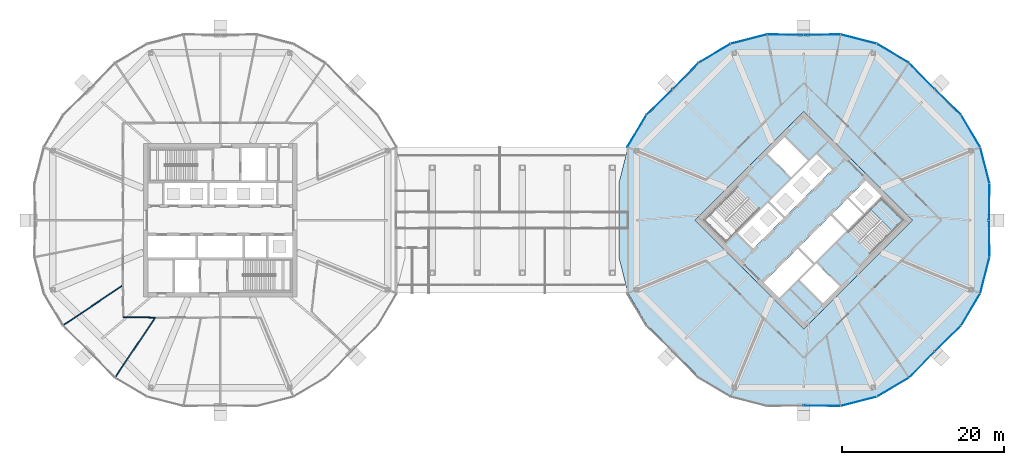
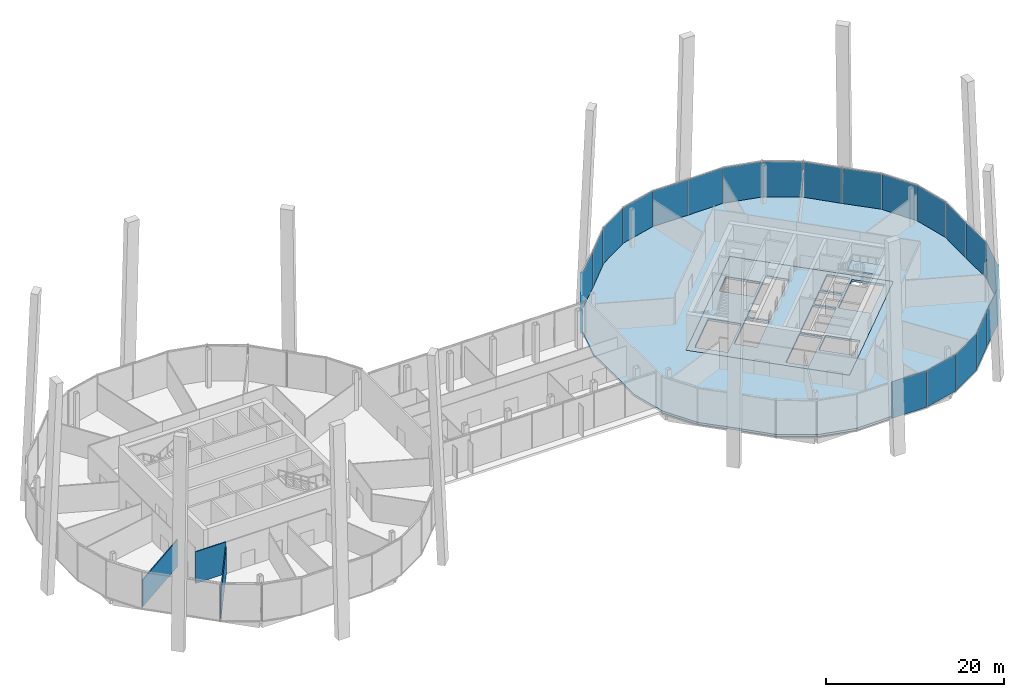
# One storey, part 18 of 28: 22 plates, 3 slabs, 3 walls, 7 elements without a shape of their own.
"""IFC4 building model written with IfcOpenShell, lengths in metres."""

from ifc_helpers import new_model, si_unit, direction, frame, frame_2d, origin, origin_2d, place, context, subcontext, project, spatial, polyline, rectangle, outline, extrude, material, layer, layer_set, type_object, element, aggregate, save


model = new_model("IFC4")

# Units and contexts
model_context = context("Model", 3, precision=1e-05, world=origin(), true_north=direction((0.0, 1.0)))
body_context = subcontext(model_context, "Body", "Model", "MODEL_VIEW")
ifc_project = project(units=[si_unit("LENGTHUNIT", "METRE"), si_unit("AREAUNIT", "SQUARE_METRE"), si_unit("VOLUMEUNIT", "CUBIC_METRE"), si_unit("PLANEANGLEUNIT", "RADIAN"), si_unit("MASSUNIT", "GRAM", prefix="KILO")], contexts=[model_context])

# Site, building, storey
site_placement = place(None, origin())
site = spatial("IfcSite", under=ifc_project, at=site_placement, CompositionType="ELEMENT")
building_placement = place(site_placement, origin())
building = spatial("IfcBuilding", under=site, at=building_placement, Name="Ogive Gate Towers", CompositionType="ELEMENT")
storey_placement = place(building_placement, frame((0.0, 0.0, 135.60009765625)))
storey = spatial("IfcBuildingStorey", under=building, at=storey_placement, Name="L32", CompositionType="ELEMENT", Elevation=135.60009765625)

# Slabs
ifc_material_1 = material(Name="Concrete C40/50", Category="concrete")
ifc_layer_1 = layer(ifc_material_1, 0.300048828125)
ifc_layer_set_1 = layer_set([ifc_layer_1], Name="Core slab C40/50 300 mm")
slab_type_1 = type_object("IfcSlabType", Name="Core slab C40/50 300 mm", PredefinedType="FLOOR", material=ifc_layer_set_1)
slab_1_placement = place(storey_placement, frame((0.0, 0.0, -0.300048828125)))
element("IfcSlab", 1, at=slab_1_placement, inside=storey, type_object=slab_type_1, Name="T2 L32 core slab", PredefinedType="FLOOR", context=body_context, shape_type="SweptSolid", body=[
    extrude(outline(polyline([(36.0, 13.43505859375), (49.43505859375, 0.0), (36.0, -13.43505859375), (22.56494140625, 0.0), (36.0, 13.43505859375)]), holes=[polyline([(31.615966796875, 2.15673828125), (27.868408203125, -1.591064453125), (29.759765625, -3.482421875), (33.50732421875, 0.26513671875), (31.615966796875, 2.15673828125)]), polyline([(39.482421875, 6.240234375), (37.591064453125, 8.131591796875), (31.792724609375, 2.33349609375), (33.68408203125, 0.44189453125), (39.482421875, 6.240234375)]), polyline([(32.97705078125, -9.563720703125), (37.13134765625, -5.409423828125), (35.239990234375, -3.517822265625), (31.085693359375, -7.672119140625), (32.97705078125, -9.563720703125)]), polyline([(35.41650390625, -3.341064453125), (37.30810546875, -5.232666015625), (41.232666015625, -1.30810546875), (39.341064453125, 0.58349609375), (35.41650390625, -3.341064453125)]), polyline([(41.3916015625, 2.634033203125), (39.517822265625, 0.760009765625), (41.409423828125, -1.13134765625), (43.283203125, 0.742431640625), (41.3916015625, 2.634033203125)]), polyline([(45.563720703125, 3.02294921875), (43.672119140625, 4.914306640625), (41.568603515625, 2.810791015625), (43.4599609375, 0.919189453125), (45.563720703125, 3.02294921875)]), polyline([(34.408935546875, 5.30322265625), (36.4951171875, 7.389404296875), (33.64892578125, 10.2353515625), (31.56298828125, 8.1494140625), (34.408935546875, 5.30322265625)]), polyline([(35.5048828125, -7.389404296875), (38.35107421875, -10.2353515625), (40.43701171875, -8.1494140625), (37.591064453125, -5.30322265625), (35.5048828125, -7.389404296875)]), polyline([(26.40087890625, -2.70458984375), (30.512939453125, 1.406982421875), (27.80810546875, 4.11181640625), (23.6962890625, 0.0), (26.40087890625, -2.70458984375)]), polyline([(48.3037109375, 0.0), (45.59912109375, 2.70458984375), (41.487060546875, -1.406982421875), (44.19189453125, -4.11181640625), (48.3037109375, 0.0)])]), origin(), (0.0, 0.0, 1.0), 0.300048828125),
])
ifc_material_2 = material(Name="Concrete C35/45", Category="concrete")
ifc_layer_2 = layer(ifc_material_2, 0.300048828125)
ifc_layer_set_2 = layer_set([ifc_layer_2], Name="Floor slab 300")
slab_type_2 = type_object("IfcSlabType", Name="Floor slab 300", PredefinedType="FLOOR", material=ifc_layer_set_2)
slab_2_placement = place(storey_placement, frame((0.0, 0.0, -0.300048828125)))
element("IfcSlab", 2, at=slab_2_placement, inside=storey, type_object=slab_type_2, Name="T2/L32/SSL001", PredefinedType="FLOOR", context=body_context, shape_type="SweptSolid", body=[
    extrude(outline(polyline([(58.82275390625, -4.539794921875), (58.77001953125, 0.0), (58.82275390625, 4.539794921875), (57.683349609375, 8.981689453125), (55.348388671875, 12.92822265625), (52.100830078125, 16.100830078125), (48.92822265625, 19.348388671875), (44.981689453125, 21.683349609375), (40.539794921875, 22.82275390625), (36.0, 22.77001953125), (31.460205078125, 22.82275390625), (27.018310546875, 21.683349609375), (23.07177734375, 19.348388671875), (19.899169921875, 16.100830078125), (16.651611328125, 12.92822265625), (14.316650390625, 8.981689453125), (13.17724609375, 4.539794921875), (13.22998046875, 0.0), (13.17724609375, -4.539794921875), (14.316650390625, -8.981689453125), (16.651611328125, -12.92822265625), (19.899169921875, -16.100830078125), (23.07177734375, -19.348388671875), (27.018310546875, -21.683349609375), (31.460205078125, -22.82275390625), (36.0, -22.77001953125), (40.539794921875, -22.82275390625), (44.981689453125, -21.683349609375), (48.92822265625, -19.348388671875), (52.100830078125, -16.100830078125), (55.348388671875, -12.92822265625), (57.683349609375, -8.981689453125), (58.82275390625, -4.539794921875)]), holes=[polyline([(49.43505859375, 0.0), (36.0, -13.43505859375), (22.56494140625, 0.0), (36.0, 13.43505859375), (49.43505859375, 0.0)])]), origin(), (0.0, 0.0, 1.0), 0.300048828125),
])

# Stair, slab
stair_type = type_object("IfcStairType", Name="Escape stair 1840 wide", PredefinedType="HALF_TURN_STAIR", material=ifc_material_1)
stair_placement = place(storey_placement, origin())
stair = element("IfcStair", 3, at=stair_placement, inside=storey, type_object=stair_type, Name="L32 Escape stair 2", PredefinedType="HALF_TURN_STAIR")
ifc_layer_3 = layer(ifc_material_1, 0.199951171875)
ifc_layer_set_3 = layer_set([ifc_layer_3], Name="Stair landing 200 mm")
slab_type_3 = type_object("IfcSlabType", Name="Stair landing 200 mm", PredefinedType="LANDING", material=ifc_layer_set_3)
slab_3_placement = place(storey_placement, frame((0.0, 0.0, 2.39990234375)))
slab_3 = element("IfcSlab", 4, at=slab_3_placement, type_object=slab_type_3, Name="ST2 landing 1", PredefinedType="LANDING", context=body_context, shape_type="SweptSolid", body=[
    extrude(outline(polyline([(46.949462890625, -1.35400390625), (48.3037109375, 0.0), (45.598876953125, 2.70458984375), (44.244873046875, 1.3505859375), (46.949462890625, -1.35400390625)])), origin(), (0.0, 0.0, 1.0), 0.199951171875),
])
aggregate(stair, [slab_3])

# Curtain wall, plates
ifc_material_3 = material(Name="Pale metal aluminium", Category="aluminium")
curtain_wall_type = type_object("IfcCurtainWallType", Name="Tower unitised wall, high zone", PredefinedType="NOTDEFINED", material=ifc_material_3)
curtain_wall_1_placement = place(storey_placement, origin())
curtain_wall_1 = element("IfcCurtainWall", 5, at=curtain_wall_1_placement, inside=storey, type_object=curtain_wall_type, Name="CW2 T2 ECW01", PredefinedType="NOTDEFINED")
ifc_material_4 = material(Name="Clear glass", Category="glass")
ifc_layer_4 = layer(ifc_material_4, 0.028076171875)
ifc_layer_set_4 = layer_set([ifc_layer_4], Name="Tower unitised wall, high zone glass panel")
plate_type = type_object("IfcPlateType", Name="Tower unitised wall, high zone glass panel", PredefinedType="CURTAIN_PANEL", material=ifc_layer_set_4)
plate_1_placement = place(storey_placement, frame((58.896484375, 2.27392578125, -0.2041015625), z_axis=(0.0, 0.0, 1.0), x_axis=(0.011641083172, 0.999932240296, 0.0)))
plate_1 = element("IfcPlate", 6, at=plate_1_placement, type_object=plate_type, Name="CW2 glass panel", PredefinedType="CURTAIN_PANEL", context=body_context, shape_type="SweptSolid", body=[
    extrude(rectangle(XDim=4.494384765625, YDim=0.028076171875, at=origin_2d()), origin(), (0.0, 0.0, 1.0), 5.008056640625),
])
plate_2_placement = place(storey_placement, frame((58.349853515625, 6.785888671875, -0.2041015625), z_axis=(0.0, 0.0, 1.0), x_axis=(-0.248470116217, 0.968639562142, 0.0)))
plate_2 = element("IfcPlate", 7, at=plate_2_placement, type_object=plate_type, Name="CW2 glass panel", PredefinedType="CURTAIN_PANEL", context=body_context, shape_type="SweptSolid", body=[
    extrude(rectangle(XDim=4.55126953125, YDim=0.028076171875, at=origin_2d()), origin(), (0.0, 0.0, 1.0), 5.008056640625),
])
plate_3_placement = place(storey_placement, frame((56.602294921875, 11.00537109375, -0.2041015625), z_axis=(0.0, 0.0, 1.0), x_axis=(-0.509236698817, 0.860626507016, 0.0)))
plate_3 = element("IfcPlate", 8, at=plate_3_placement, type_object=plate_type, Name="CW2 glass panel", PredefinedType="CURTAIN_PANEL", context=body_context, shape_type="SweptSolid", body=[
    extrude(rectangle(XDim=4.55126953125, YDim=0.028076171875, at=origin_2d()), origin(), (0.0, 0.0, 1.0), 5.008056640625),
])
plate_4_placement = place(storey_placement, frame((53.798095703125, 14.582275390625, -0.2041015625), z_axis=(0.0, 0.0, 1.0), x_axis=(-0.715302553421, 0.698814894711, 0.0)))
plate_4 = element("IfcPlate", 9, at=plate_4_placement, type_object=plate_type, Name="CW2 glass panel", PredefinedType="CURTAIN_PANEL", context=body_context, shape_type="SweptSolid", body=[
    extrude(rectangle(XDim=4.494140625, YDim=0.028076171875, at=origin_2d()), origin(), (0.0, 0.0, 1.0), 5.008056640625),
])
aggregate(curtain_wall_1, [plate_1, plate_2, plate_3, plate_4])

curtain_wall_2_placement = place(storey_placement, origin())
curtain_wall_2 = element("IfcCurtainWall", 10, at=curtain_wall_2_placement, inside=storey, type_object=curtain_wall_type, Name="CW2 T2 ECW02", PredefinedType="NOTDEFINED")
plate_5_placement = place(storey_placement, frame((50.582275390625, 17.798095703125, -0.2041015625), z_axis=(0.0, 0.0, 1.0), x_axis=(-0.698814894711, 0.715302553421, 0.0)))
plate_5 = element("IfcPlate", 11, at=plate_5_placement, type_object=plate_type, Name="CW2 glass panel", PredefinedType="CURTAIN_PANEL", context=body_context, shape_type="SweptSolid", body=[
    extrude(rectangle(XDim=4.494140625, YDim=0.028076171875, at=origin_2d()), origin(), (0.0, 0.0, 1.0), 5.008056640625),
])
plate_6_placement = place(storey_placement, frame((47.00537109375, 20.602294921875, -0.2041015625), z_axis=(0.0, 0.0, 1.0), x_axis=(-0.860626507016, 0.509236698817, 0.0)))
plate_6 = element("IfcPlate", 12, at=plate_6_placement, type_object=plate_type, Name="CW2 glass panel", PredefinedType="CURTAIN_PANEL", context=body_context, shape_type="SweptSolid", body=[
    extrude(rectangle(XDim=4.55126953125, YDim=0.028076171875, at=origin_2d()), origin(), (0.0, 0.0, 1.0), 5.008056640625),
])
plate_7_placement = place(storey_placement, frame((42.785888671875, 22.349853515625, -0.2041015625), z_axis=(0.0, 0.0, 1.0), x_axis=(-0.968639562142, 0.248470116217, 0.0)))
plate_7 = element("IfcPlate", 13, at=plate_7_placement, type_object=plate_type, Name="CW2 glass panel", PredefinedType="CURTAIN_PANEL", context=body_context, shape_type="SweptSolid", body=[
    extrude(rectangle(XDim=4.55126953125, YDim=0.028076171875, at=origin_2d()), origin(), (0.0, 0.0, 1.0), 5.008056640625),
])
plate_8_placement = place(storey_placement, frame((38.27392578125, 22.896484375, -0.2041015625), z_axis=(0.0, 0.0, 1.0), x_axis=(-0.999932240296, -0.011641083172, 0.0)))
plate_8 = element("IfcPlate", 14, at=plate_8_placement, type_object=plate_type, Name="CW2 glass panel", PredefinedType="CURTAIN_PANEL", context=body_context, shape_type="SweptSolid", body=[
    extrude(rectangle(XDim=4.494384765625, YDim=0.028076171875, at=origin_2d()), origin(), (0.0, 0.0, 1.0), 5.008056640625),
])
aggregate(curtain_wall_2, [plate_5, plate_6, plate_7, plate_8])

curtain_wall_3_placement = place(storey_placement, origin())
curtain_wall_3 = element("IfcCurtainWall", 15, at=curtain_wall_3_placement, inside=storey, type_object=curtain_wall_type, Name="CW2 T2 ECW03", PredefinedType="NOTDEFINED")
plate_9_placement = place(storey_placement, frame((33.72607421875, 22.896484375, -0.2041015625), z_axis=(0.0, 0.0, 1.0), x_axis=(-0.999932240296, 0.011641083172, 0.0)))
plate_9 = element("IfcPlate", 16, at=plate_9_placement, type_object=plate_type, Name="CW2 glass panel", PredefinedType="CURTAIN_PANEL", context=body_context, shape_type="SweptSolid", body=[
    extrude(rectangle(XDim=4.494384765625, YDim=0.028076171875, at=origin_2d()), origin(), (0.0, 0.0, 1.0), 5.008056640625),
])
plate_10_placement = place(storey_placement, frame((29.214111328125, 22.349853515625, -0.2041015625), z_axis=(0.0, 0.0, 1.0), x_axis=(-0.968639562142, -0.248470116217, 0.0)))
plate_10 = element("IfcPlate", 17, at=plate_10_placement, type_object=plate_type, Name="CW2 glass panel", PredefinedType="CURTAIN_PANEL", context=body_context, shape_type="SweptSolid", body=[
    extrude(rectangle(XDim=4.55126953125, YDim=0.028076171875, at=origin_2d()), origin(), (0.0, 0.0, 1.0), 5.008056640625),
])
plate_11_placement = place(storey_placement, frame((24.99462890625, 20.602294921875, -0.2041015625), z_axis=(0.0, 0.0, 1.0), x_axis=(-0.860626507016, -0.509236698817, 0.0)))
plate_11 = element("IfcPlate", 18, at=plate_11_placement, type_object=plate_type, Name="CW2 glass panel", PredefinedType="CURTAIN_PANEL", context=body_context, shape_type="SweptSolid", body=[
    extrude(rectangle(XDim=4.55126953125, YDim=0.028076171875, at=origin_2d()), origin(), (0.0, 0.0, 1.0), 5.008056640625),
])
plate_12_placement = place(storey_placement, frame((21.417724609375, 17.798095703125, -0.2041015625), z_axis=(0.0, 0.0, 1.0), x_axis=(-0.698814894711, -0.715302553421, 0.0)))
plate_12 = element("IfcPlate", 19, at=plate_12_placement, type_object=plate_type, Name="CW2 glass panel", PredefinedType="CURTAIN_PANEL", context=body_context, shape_type="SweptSolid", body=[
    extrude(rectangle(XDim=4.494140625, YDim=0.028076171875, at=origin_2d()), origin(), (0.0, 0.0, 1.0), 5.008056640625),
])
aggregate(curtain_wall_3, [plate_9, plate_10, plate_11, plate_12])

curtain_wall_4_placement = place(storey_placement, origin())
curtain_wall_4 = element("IfcCurtainWall", 20, at=curtain_wall_4_placement, inside=storey, type_object=curtain_wall_type, Name="CW2 T2 ECW04", PredefinedType="NOTDEFINED")
plate_13_placement = place(storey_placement, frame((18.201904296875, 14.582275390625, -0.2041015625), z_axis=(0.0, 0.0, 1.0), x_axis=(-0.715302553421, -0.698814894711, 0.0)))
plate_13 = element("IfcPlate", 21, at=plate_13_placement, type_object=plate_type, Name="CW2 glass panel", PredefinedType="CURTAIN_PANEL", context=body_context, shape_type="SweptSolid", body=[
    extrude(rectangle(XDim=4.494140625, YDim=0.028076171875, at=origin_2d()), origin(), (0.0, 0.0, 1.0), 5.008056640625),
])
plate_14_placement = place(storey_placement, frame((15.396728515625, 11.003662109375, -0.2041015625), z_axis=(0.0, 0.0, 1.0), x_axis=(-0.509236698817, -0.860626507016, 0.0)))
plate_14 = element("IfcPlate", 22, at=plate_14_placement, type_object=plate_type, Name="CW2 glass panel", PredefinedType="CURTAIN_PANEL", context=body_context, shape_type="SweptSolid", body=[
    extrude(rectangle(XDim=4.555419921875, YDim=0.028076171875, at=origin_2d()), origin(), (0.0, 0.0, 1.0), 5.008056640625),
])
aggregate(curtain_wall_4, [plate_13, plate_14])

curtain_wall_5_placement = place(storey_placement, origin())
curtain_wall_5 = element("IfcCurtainWall", 23, at=curtain_wall_5_placement, inside=storey, type_object=curtain_wall_type, Name="CW2 T2 ECW07", PredefinedType="NOTDEFINED")
plate_15_placement = place(storey_placement, frame((38.27392578125, -22.896484375, -0.2041015625), z_axis=(0.0, 0.0, 1.0), x_axis=(0.999932240296, -0.011641083172, 0.0)))
plate_15 = element("IfcPlate", 24, at=plate_15_placement, type_object=plate_type, Name="CW2 glass panel", PredefinedType="CURTAIN_PANEL", context=body_context, shape_type="SweptSolid", body=[
    extrude(rectangle(XDim=4.494384765625, YDim=0.028076171875, at=origin_2d()), origin(), (0.0, 0.0, 1.0), 5.008056640625),
])
plate_16_placement = place(storey_placement, frame((42.785888671875, -22.349853515625, -0.2041015625), z_axis=(0.0, 0.0, 1.0), x_axis=(0.968639562142, 0.248470116217, 0.0)))
plate_16 = element("IfcPlate", 25, at=plate_16_placement, type_object=plate_type, Name="CW2 glass panel", PredefinedType="CURTAIN_PANEL", context=body_context, shape_type="SweptSolid", body=[
    extrude(rectangle(XDim=4.55126953125, YDim=0.028076171875, at=origin_2d()), origin(), (0.0, 0.0, 1.0), 5.008056640625),
])
plate_17_placement = place(storey_placement, frame((47.00537109375, -20.602294921875, -0.2041015625), z_axis=(0.0, 0.0, 1.0), x_axis=(0.860626507016, 0.509236698817, 0.0)))
plate_17 = element("IfcPlate", 26, at=plate_17_placement, type_object=plate_type, Name="CW2 glass panel", PredefinedType="CURTAIN_PANEL", context=body_context, shape_type="SweptSolid", body=[
    extrude(rectangle(XDim=4.55126953125, YDim=0.028076171875, at=origin_2d()), origin(), (0.0, 0.0, 1.0), 5.008056640625),
])
plate_18_placement = place(storey_placement, frame((50.582275390625, -17.798095703125, -0.2041015625), z_axis=(0.0, 0.0, 1.0), x_axis=(0.698814894711, 0.715302553421, 0.0)))
plate_18 = element("IfcPlate", 27, at=plate_18_placement, type_object=plate_type, Name="CW2 glass panel", PredefinedType="CURTAIN_PANEL", context=body_context, shape_type="SweptSolid", body=[
    extrude(rectangle(XDim=4.494140625, YDim=0.028076171875, at=origin_2d()), origin(), (0.0, 0.0, 1.0), 5.008056640625),
])
aggregate(curtain_wall_5, [plate_15, plate_16, plate_17, plate_18])

curtain_wall_6_placement = place(storey_placement, origin())
curtain_wall_6 = element("IfcCurtainWall", 28, at=curtain_wall_6_placement, inside=storey, type_object=curtain_wall_type, Name="CW2 T2 ECW08", PredefinedType="NOTDEFINED")
plate_19_placement = place(storey_placement, frame((53.798095703125, -14.582275390625, -0.2041015625), z_axis=(0.0, 0.0, 1.0), x_axis=(0.715302553421, 0.698814894711, 0.0)))
plate_19 = element("IfcPlate", 29, at=plate_19_placement, type_object=plate_type, Name="CW2 glass panel", PredefinedType="CURTAIN_PANEL", context=body_context, shape_type="SweptSolid", body=[
    extrude(rectangle(XDim=4.494140625, YDim=0.028076171875, at=origin_2d()), origin(), (0.0, 0.0, 1.0), 5.008056640625),
])
plate_20_placement = place(storey_placement, frame((56.602294921875, -11.00537109375, -0.2041015625), z_axis=(0.0, 0.0, 1.0), x_axis=(0.509236698817, 0.860626507016, 0.0)))
plate_20 = element("IfcPlate", 30, at=plate_20_placement, type_object=plate_type, Name="CW2 glass panel", PredefinedType="CURTAIN_PANEL", context=body_context, shape_type="SweptSolid", body=[
    extrude(rectangle(XDim=4.55126953125, YDim=0.028076171875, at=origin_2d()), origin(), (0.0, 0.0, 1.0), 5.008056640625),
])
plate_21_placement = place(storey_placement, frame((58.349853515625, -6.785888671875, -0.2041015625), z_axis=(0.0, 0.0, 1.0), x_axis=(0.248470116217, 0.968639562142, 0.0)))
plate_21 = element("IfcPlate", 31, at=plate_21_placement, type_object=plate_type, Name="CW2 glass panel", PredefinedType="CURTAIN_PANEL", context=body_context, shape_type="SweptSolid", body=[
    extrude(rectangle(XDim=4.55126953125, YDim=0.028076171875, at=origin_2d()), origin(), (0.0, 0.0, 1.0), 5.008056640625),
])
plate_22_placement = place(storey_placement, frame((58.896484375, -2.27392578125, -0.2041015625), z_axis=(0.0, 0.0, 1.0), x_axis=(-0.011641083172, 0.999932240296, 0.0)))
plate_22 = element("IfcPlate", 32, at=plate_22_placement, type_object=plate_type, Name="CW2 glass panel", PredefinedType="CURTAIN_PANEL", context=body_context, shape_type="SweptSolid", body=[
    extrude(rectangle(XDim=4.494384765625, YDim=0.028076171875, at=origin_2d()), origin(), (0.0, 0.0, 1.0), 5.008056640625),
])
aggregate(curtain_wall_6, [plate_19, plate_20, plate_21, plate_22])

# Walls
ifc_material_5 = material(Name="Gypsum board partition")
ifc_layer_5 = layer(ifc_material_5, 0.125)
ifc_layer_set_5 = layer_set([ifc_layer_5], Name="Partition 125")
wall_type = type_object("IfcWallType", Name="Partition 125", PredefinedType="PARTITIONING", material=ifc_layer_set_5)
for number, where, z_axis, x_axis, name in (
    (33, (-55.343505859375, -12.934326171875, 0.0), (0.0, 0.0, 1.0), (0.831269695611, 0.555869313022, 0.0), "Partition T1-L32-009"),
    (34, (-48.934326171875, -19.343505859375, 0.0), (0.0, 0.0, 1.0), (0.555869313022, 0.831269695611, 0.0), "Partition T1-L32-010"),
):
    element("IfcWall", number, at=place(storey_placement, frame(where, z_axis=z_axis, x_axis=x_axis)), inside=storey, type_object=wall_type, Name=name, PredefinedType="PARTITIONING", context=body_context, shape_type="SweptSolid", body=[
        extrude(rectangle(XDim=8.7666015625, YDim=0.125, at=frame_2d((4.38330078125, 0.0))), origin(), (0.0, 0.0, 1.0), 3.699951171875),
    ])
wall_placement = place(storey_placement, frame((-47.97998046875, -11.97998046875, 0.0), z_axis=(0.0, 0.0, 1.0), x_axis=(0.999981311537, -0.0061136386, 0.0)))
element("IfcWall", 35, at=wall_placement, inside=storey, type_object=wall_type, Name="Partition T1-L32-027", PredefinedType="PARTITIONING", context=body_context, shape_type="SweptSolid", body=[
    extrude(rectangle(XDim=3.953369140625, YDim=0.125, at=frame_2d((1.9765625, 0.0))), origin(), (0.0, 0.0, 1.0), 4.349853515625),
])

save(model, "model.ifc")
